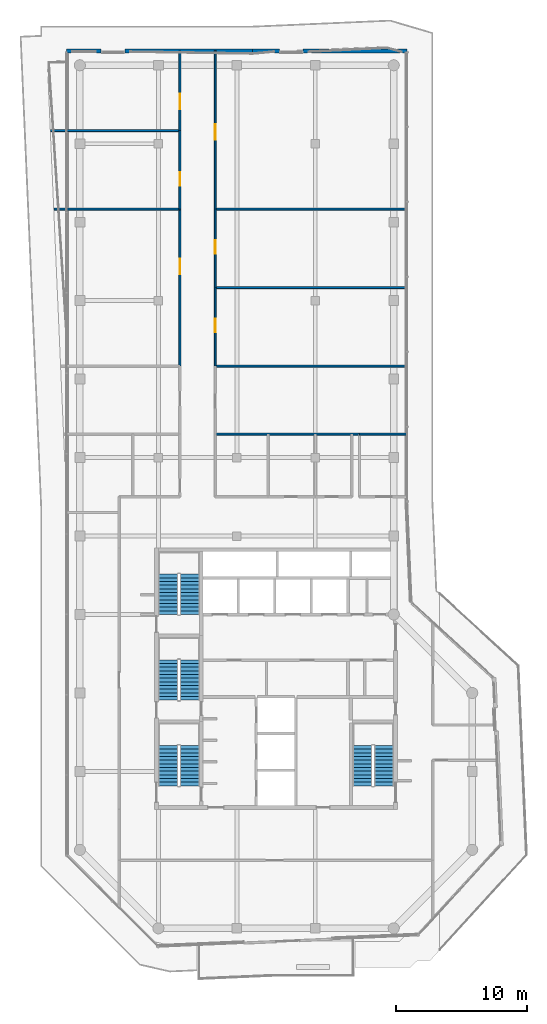
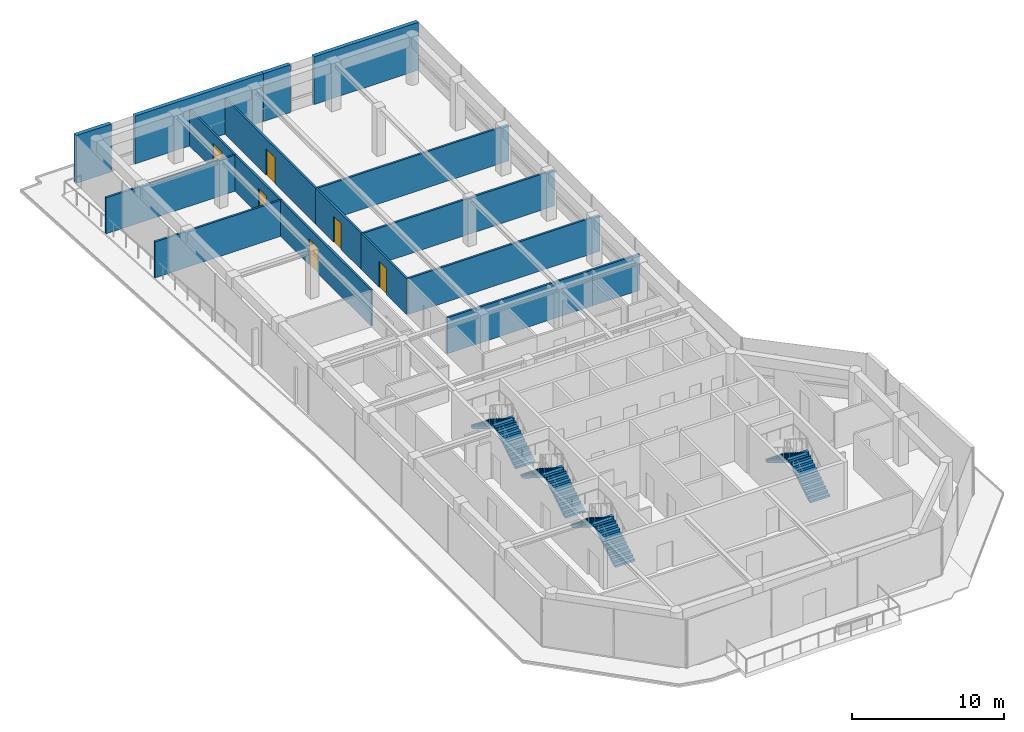
# One storey, part 18 of 20: 17 walls, 8 stair flights, 6 doors, 6 openings, 4 elements without a shape of their own.
"""IFC4 building model written with IfcOpenShell, lengths in metres."""

from ifc_helpers import new_model, si_unit, direction, frame, frame_2d, origin, place, context, subcontext, project, spatial, polyline, rectangle, outline, extrude, material, layer, layer_set, type_object, element, fill, aggregate, save


model = new_model("IFC4")

# Units and contexts
model_context = context("Model", 3, precision=1e-05, world=origin(), true_north=direction((0.0, 1.0)))
body_context = subcontext(model_context, "Body", "Model", "MODEL_VIEW")
ifc_project = project(units=[si_unit("LENGTHUNIT", "METRE"), si_unit("AREAUNIT", "SQUARE_METRE"), si_unit("VOLUMEUNIT", "CUBIC_METRE"), si_unit("PLANEANGLEUNIT", "RADIAN"), si_unit("MASSUNIT", "GRAM", prefix="KILO")], contexts=[model_context])

# Site, building, storey
site_placement = place(None, origin())
site = spatial("IfcSite", under=ifc_project, at=site_placement, CompositionType="ELEMENT")
building_placement = place(site_placement, origin())
building = spatial("IfcBuilding", under=site, at=building_placement, Name="Welwitschia Terrace Campus", CompositionType="ELEMENT")
storey_placement = place(building_placement, frame((0.0, 0.0, 297.800048828125)))
storey = spatial("IfcBuildingStorey", under=building, at=storey_placement, Name="L66", CompositionType="ELEMENT", Elevation=297.800048828125)

# Walls
ifc_material_1 = material(Name="Gypsum board on steel studs", Category="steel")
ifc_layer_1 = layer(ifc_material_1, 0.14990234375)
ifc_layer_set_1 = layer_set([ifc_layer_1], Name="Gypsum board on steel studs")
wall_type_1 = type_object("IfcWallType", Name="Corridor partition 150 EI 30", PredefinedType="PARTITIONING", material=ifc_layer_set_1)
wall_1_placement = place(storey_placement, frame((-2.239990234375, 57.0, 0.0), z_axis=(0.0, 0.0, 1.0), x_axis=(1.0, 0.0, 0.0)))
element("IfcWall", 1, at=wall_1_placement, inside=storey, type_object=wall_type_1, Name="Partition", PredefinedType="PARTITIONING", context=body_context, shape_type="SweptSolid", body=[
    extrude(rectangle(XDim=9.889892578125, YDim=0.14990234375, at=frame_2d((4.94482421875, 0.0))), origin(), (0.0, 0.0, 1.0), 2.89990234375),
])
wall_2_placement = place(storey_placement, frame((-1.97998046875, 51.0, 0.0), z_axis=(0.0, 0.0, 1.0), x_axis=(1.0, 0.0, 0.0)))
element("IfcWall", 2, at=wall_2_placement, inside=storey, type_object=wall_type_1, Name="Partition", PredefinedType="PARTITIONING", context=body_context, shape_type="SweptSolid", body=[
    extrude(rectangle(XDim=9.6298828125, YDim=0.14990234375, at=frame_2d((4.81494140625, 0.0))), origin(), (0.0, 0.0, 1.0), 2.89990234375),
])

# Wall, opening, door
wall_3_placement = place(storey_placement, frame((7.64990234375, 39.0, 0.0), z_axis=(0.0, 0.0, 1.0), x_axis=(0.0, 1.0, 0.0)))
wall_3 = element("IfcWall", 3, at=wall_3_placement, inside=storey, type_object=wall_type_1, Name="Partition", PredefinedType="PARTITIONING", context=body_context, shape_type="SweptSolid", body=[
    extrude(rectangle(XDim=12.0, YDim=0.14990234375, at=frame_2d((6.0, 0.0))), origin(), (0.0, 0.0, 1.0), 2.89990234375),
])
opening_1_placement = place(wall_3_placement, frame((7.0, 0.0, 0.0)))
opening_1 = element("IfcOpeningElement", 4, at=opening_1_placement, cuts=wall_3, Name="Opening DI12", PredefinedType="OPENING", context=body_context, shape_type="SweptSolid", body=[
    extrude(rectangle(XDim=1.199951171875, YDim=2.10009765625, at=frame_2d((0.60009765625, 1.050048828125))), frame((0.0, 0.0849609375, 0.0), z_axis=(0.0, -1.0, 0.0), x_axis=(1.0, 0.0, 0.0)), (0.0, 0.0, 1.0), 0.169921875),
])
ifc_material_2 = material(Name="Timber veneered door", Category="wood")
door_type_1 = type_object("IfcDoorType", Name="Interior door DI12", OperationType="NOTDEFINED", PredefinedType="DOOR", material=ifc_material_2)
door_1_placement = place(opening_1_placement, origin())
door_1 = element("IfcDoor", 5, at=door_1_placement, inside=storey, type_object=door_type_1, Name="Door L66 1171", OperationType="SINGLE_SWING_RIGHT", OverallHeight=2.10009765625, OverallWidth=1.199951171875, PredefinedType="DOOR", context=body_context, shape_type="SweptSolid", body=[
    extrude(rectangle(XDim=1.199951171875, YDim=2.10009765625, at=frame_2d((0.60009765625, 1.050048828125))), frame((0.0, 0.02490234375, 0.0), z_axis=(0.0, -1.0, 0.0), x_axis=(1.0, 0.0, 0.0)), (0.0, 0.0, 1.0), 0.050048828125),
])
fill(opening_1, door_1)

wall_4_placement = place(storey_placement, frame((7.64990234375, 51.0, 0.0), z_axis=(0.0, 0.0, 1.0), x_axis=(0.0, 1.0, 0.0)))
wall_4 = element("IfcWall", 6, at=wall_4_placement, inside=storey, type_object=wall_type_1, Name="Partition", PredefinedType="PARTITIONING", context=body_context, shape_type="SweptSolid", body=[
    extrude(rectangle(XDim=6.0, YDim=0.14990234375, at=frame_2d((3.0, 0.0))), origin(), (0.0, 0.0, 1.0), 2.89990234375),
])
opening_2_placement = place(wall_4_placement, frame((1.800048828125, 0.0, 0.0)))
opening_2 = element("IfcOpeningElement", 7, at=opening_2_placement, cuts=wall_4, Name="Opening DI10", PredefinedType="OPENING", context=body_context, shape_type="SweptSolid", body=[
    extrude(rectangle(XDim=1.0, YDim=2.10009765625, at=frame_2d((0.5, 1.050048828125))), frame((0.0, 0.0849609375, 0.0), z_axis=(0.0, -1.0, 0.0), x_axis=(1.0, 0.0, 0.0)), (0.0, 0.0, 1.0), 0.169921875),
])
ifc_material_3 = material(Name="Timber veneered door", Category="wood")
door_type_2 = type_object("IfcDoorType", Name="Interior door DI10", OperationType="NOTDEFINED", PredefinedType="DOOR", material=ifc_material_3)
door_2_placement = place(opening_2_placement, origin())
door_2 = element("IfcDoor", 8, at=door_2_placement, inside=storey, type_object=door_type_2, Name="Door L66 1172", OperationType="SINGLE_SWING_LEFT", OverallHeight=2.10009765625, OverallWidth=1.0, PredefinedType="DOOR", context=body_context, shape_type="SweptSolid", body=[
    extrude(rectangle(XDim=1.0, YDim=2.10009765625, at=frame_2d((0.5, 1.050048828125))), frame((0.0, 0.02490234375, 0.0), z_axis=(0.0, -1.0, 0.0), x_axis=(1.0, 0.0, 0.0)), (0.0, 0.0, 1.0), 0.050048828125),
])
fill(opening_2, door_2)

wall_5_placement = place(storey_placement, frame((7.64990234375, 57.0, 0.0), z_axis=(0.0, 0.0, 1.0), x_axis=(0.0, 1.0, 0.0)))
wall_5 = element("IfcWall", 9, at=wall_5_placement, inside=storey, type_object=wall_type_1, Name="Partition", PredefinedType="PARTITIONING", context=body_context, shape_type="SweptSolid", body=[
    extrude(rectangle(XDim=6.090087890625, YDim=0.14990234375, at=frame_2d((3.044921875, 0.0))), origin(), (0.0, 0.0, 1.0), 2.89990234375),
])
opening_3_placement = place(wall_5_placement, frame((1.639892578125, 0.0, 0.0)))
opening_3 = element("IfcOpeningElement", 10, at=opening_3_placement, cuts=wall_5, Name="Opening DI12", PredefinedType="OPENING", context=body_context, shape_type="SweptSolid", body=[
    extrude(rectangle(XDim=1.199951171875, YDim=2.10009765625, at=frame_2d((0.60009765625, 1.050048828125))), frame((0.0, 0.0849609375, 0.0), z_axis=(0.0, -1.0, 0.0), x_axis=(1.0, 0.0, 0.0)), (0.0, 0.0, 1.0), 0.169921875),
])
door_3_placement = place(opening_3_placement, origin())
door_3 = element("IfcDoor", 11, at=door_3_placement, inside=storey, type_object=door_type_1, Name="Door L66 1173", OperationType="SINGLE_SWING_RIGHT", OverallHeight=2.10009765625, OverallWidth=1.199951171875, PredefinedType="DOOR", context=body_context, shape_type="SweptSolid", body=[
    extrude(rectangle(XDim=1.199951171875, YDim=2.10009765625, at=frame_2d((0.60009765625, 1.050048828125))), frame((0.0, 0.02490234375, 0.0), z_axis=(0.0, -1.0, 0.0), x_axis=(1.0, 0.0, 0.0)), (0.0, 0.0, 1.0), 0.050048828125),
])
fill(opening_3, door_3)

# Walls
wall_6_placement = place(storey_placement, frame((10.35009765625, 33.800048828125, 0.0), z_axis=(0.0, 0.0, 1.0), x_axis=(1.0, 0.0, 0.0)))
element("IfcWall", 12, at=wall_6_placement, inside=storey, type_object=wall_type_1, Name="Partition", PredefinedType="PARTITIONING", context=body_context, shape_type="SweptSolid", body=[
    extrude(rectangle(XDim=11.02978515625, YDim=0.14990234375, at=frame_2d((5.514892578125, 0.0))), origin(), (0.0, 0.0, 1.0), 2.89990234375),
])
wall_7_placement = place(storey_placement, frame((10.35009765625, 39.0, 0.0), z_axis=(0.0, 0.0, 1.0), x_axis=(1.0, 0.0, 0.0)))
element("IfcWall", 13, at=wall_7_placement, inside=storey, type_object=wall_type_1, Name="Partition", PredefinedType="PARTITIONING", context=body_context, shape_type="SweptSolid", body=[
    extrude(rectangle(XDim=14.6298828125, YDim=0.14990234375, at=frame_2d((7.31494140625, 0.0))), origin(), (0.0, 0.0, 1.0), 2.89990234375),
])

# Wall, opening, door
wall_8_placement = place(storey_placement, frame((10.35009765625, 45.0, 0.0), z_axis=(0.0, 0.0, 1.0), x_axis=(0.0, -1.0, 0.0)))
wall_8 = element("IfcWall", 14, at=wall_8_placement, inside=storey, type_object=wall_type_1, Name="Partition", PredefinedType="PARTITIONING", context=body_context, shape_type="SweptSolid", body=[
    extrude(rectangle(XDim=6.0, YDim=0.14990234375, at=frame_2d((3.0, 0.0))), origin(), (0.0, 0.0, 1.0), 2.89990234375),
])
opening_4_placement = place(wall_8_placement, frame((2.39990234375, 0.0, 0.0)))
opening_4 = element("IfcOpeningElement", 15, at=opening_4_placement, cuts=wall_8, Name="Opening DI10", PredefinedType="OPENING", context=body_context, shape_type="SweptSolid", body=[
    extrude(rectangle(XDim=1.0, YDim=2.10009765625, at=frame_2d((0.5, 1.050048828125))), frame((0.0, 0.0849609375, 0.0), z_axis=(0.0, -1.0, 0.0), x_axis=(1.0, 0.0, 0.0)), (0.0, 0.0, 1.0), 0.169921875),
])
door_4_placement = place(opening_4_placement, origin())
door_4 = element("IfcDoor", 16, at=door_4_placement, inside=storey, type_object=door_type_2, Name="Door L66 1175", OperationType="SINGLE_SWING_RIGHT", OverallHeight=2.10009765625, OverallWidth=1.0, PredefinedType="DOOR", context=body_context, shape_type="SweptSolid", body=[
    extrude(rectangle(XDim=1.0, YDim=2.10009765625, at=frame_2d((0.5, 1.050048828125))), frame((0.0, 0.02490234375, 0.0), z_axis=(0.0, -1.0, 0.0), x_axis=(1.0, 0.0, 0.0)), (0.0, 0.0, 1.0), 0.050048828125),
])
fill(opening_4, door_4)

# Wall
wall_9_placement = place(storey_placement, frame((10.35009765625, 45.0, 0.0), z_axis=(0.0, 0.0, 1.0), x_axis=(1.0, 0.0, 0.0)))
element("IfcWall", 17, at=wall_9_placement, inside=storey, type_object=wall_type_1, Name="Partition", PredefinedType="PARTITIONING", context=body_context, shape_type="SweptSolid", body=[
    extrude(rectangle(XDim=14.6298828125, YDim=0.14990234375, at=frame_2d((7.31494140625, 0.0))), origin(), (0.0, 0.0, 1.0), 2.89990234375),
])

# Wall, opening, door
wall_10_placement = place(storey_placement, frame((10.35009765625, 51.0, 0.0), z_axis=(0.0, 0.0, 1.0), x_axis=(0.0, -1.0, 0.0)))
wall_10 = element("IfcWall", 18, at=wall_10_placement, inside=storey, type_object=wall_type_1, Name="Partition", PredefinedType="PARTITIONING", context=body_context, shape_type="SweptSolid", body=[
    extrude(rectangle(XDim=6.0, YDim=0.14990234375, at=frame_2d((3.0, 0.0))), origin(), (0.0, 0.0, 1.0), 2.89990234375),
])
opening_5_placement = place(wall_10_placement, frame((2.39990234375, 0.0, 0.0)))
opening_5 = element("IfcOpeningElement", 19, at=opening_5_placement, cuts=wall_10, Name="Opening DI10", PredefinedType="OPENING", context=body_context, shape_type="SweptSolid", body=[
    extrude(rectangle(XDim=1.0, YDim=2.10009765625, at=frame_2d((0.5, 1.050048828125))), frame((0.0, 0.0849609375, 0.0), z_axis=(0.0, -1.0, 0.0), x_axis=(1.0, 0.0, 0.0)), (0.0, 0.0, 1.0), 0.169921875),
])
door_5_placement = place(opening_5_placement, origin())
door_5 = element("IfcDoor", 20, at=door_5_placement, inside=storey, type_object=door_type_2, Name="Door L66 1176", OperationType="SINGLE_SWING_LEFT", OverallHeight=2.10009765625, OverallWidth=1.0, PredefinedType="DOOR", context=body_context, shape_type="SweptSolid", body=[
    extrude(rectangle(XDim=1.0, YDim=2.10009765625, at=frame_2d((0.5, 1.050048828125))), frame((0.0, 0.02490234375, 0.0), z_axis=(0.0, -1.0, 0.0), x_axis=(1.0, 0.0, 0.0)), (0.0, 0.0, 1.0), 0.050048828125),
])
fill(opening_5, door_5)

# Wall
wall_11_placement = place(storey_placement, frame((10.35009765625, 51.0, 0.0), z_axis=(0.0, 0.0, 1.0), x_axis=(1.0, 0.0, 0.0)))
element("IfcWall", 21, at=wall_11_placement, inside=storey, type_object=wall_type_1, Name="Partition", PredefinedType="PARTITIONING", context=body_context, shape_type="SweptSolid", body=[
    extrude(rectangle(XDim=14.6298828125, YDim=0.14990234375, at=frame_2d((7.31494140625, 0.0))), origin(), (0.0, 0.0, 1.0), 2.89990234375),
])

# Wall, opening, door
wall_12_placement = place(storey_placement, frame((10.35009765625, 63.090087890625, 0.0), z_axis=(0.0, 0.0, 1.0), x_axis=(0.0, -1.0, 0.0)))
wall_12 = element("IfcWall", 22, at=wall_12_placement, inside=storey, type_object=wall_type_1, Name="Partition", PredefinedType="PARTITIONING", context=body_context, shape_type="SweptSolid", body=[
    extrude(rectangle(XDim=12.090087890625, YDim=0.14990234375, at=frame_2d((6.044921875, 0.0))), origin(), (0.0, 0.0, 1.0), 2.89990234375),
])
opening_6_placement = place(wall_12_placement, frame((5.590087890625, 0.0, 0.0)))
opening_6 = element("IfcOpeningElement", 23, at=opening_6_placement, cuts=wall_12, Name="Opening DI12", PredefinedType="OPENING", context=body_context, shape_type="SweptSolid", body=[
    extrude(rectangle(XDim=1.199951171875, YDim=2.10009765625, at=frame_2d((0.60009765625, 1.050048828125))), frame((0.0, 0.0849609375, 0.0), z_axis=(0.0, -1.0, 0.0), x_axis=(1.0, 0.0, 0.0)), (0.0, 0.0, 1.0), 0.169921875),
])
door_6_placement = place(opening_6_placement, origin())
door_6 = element("IfcDoor", 24, at=door_6_placement, inside=storey, type_object=door_type_1, Name="Door L66 1177", OperationType="SINGLE_SWING_RIGHT", OverallHeight=2.10009765625, OverallWidth=1.199951171875, PredefinedType="DOOR", context=body_context, shape_type="SweptSolid", body=[
    extrude(rectangle(XDim=1.199951171875, YDim=2.10009765625, at=frame_2d((0.60009765625, 1.050048828125))), frame((0.0, 0.02490234375, 0.0), z_axis=(0.0, -1.0, 0.0), x_axis=(1.0, 0.0, 0.0)), (0.0, 0.0, 1.0), 0.050048828125),
])
fill(opening_6, door_6)

# Walls
wall_13_placement = place(storey_placement, frame((21.3798828125, 33.800048828125, 0.0), z_axis=(0.0, 0.0, 1.0), x_axis=(1.0, 0.0, 0.0)))
element("IfcWall", 25, at=wall_13_placement, inside=storey, type_object=wall_type_1, Name="Partition", PredefinedType="PARTITIONING", context=body_context, shape_type="SweptSolid", body=[
    extrude(rectangle(XDim=3.60009765625, YDim=0.14990234375, at=frame_2d((1.800048828125, 0.0))), origin(), (0.0, 0.0, 1.0), 2.89990234375),
])
ifc_material_4 = material(Name="Concrete C40/50", Category="concrete")
ifc_layer_2 = layer(ifc_material_4, 0.300048828125)
ifc_layer_set_2 = layer_set([ifc_layer_2], Name="Concrete C40/50")
wall_type_2 = type_object("IfcWallType", Name="Mass wall 300", PredefinedType="SOLIDWALL", material=ifc_layer_set_2)
wall_14_placement = place(storey_placement, frame((25.030029296875, 63.0810546875, 0.0), z_axis=(0.0, 0.0, 1.0), x_axis=(-0.99999979256, 0.000644112371, 0.0)))
element("IfcWall", 26, at=wall_14_placement, inside=storey, type_object=wall_type_2, Name="Mass wall L66.7.0", PredefinedType="SOLIDWALL", context=body_context, shape_type="SweptSolid", body=[
    extrude(rectangle(XDim=7.959716796875, YDim=0.300048828125, at=frame_2d((3.97998046875, 0.0))), origin(), (0.0, 0.0, 1.0), 3.849853515625),
])
wall_15_placement = place(storey_placement, frame((15.2705078125, 63.078857421875, 0.0), z_axis=(0.0, 0.0, 1.0), x_axis=(-0.999999823309, 0.000594459531, 0.0)))
element("IfcWall", 27, at=wall_15_placement, inside=storey, type_object=wall_type_2, Name="Mass wall L66.7.1", PredefinedType="SOLIDWALL", context=body_context, shape_type="SweptSolid", body=[
    extrude(rectangle(XDim=2.053466796875, YDim=0.300048828125, at=frame_2d((1.02685546875, 0.0))), origin(), (0.0, 0.0, 1.0), 3.849853515625),
])
wall_16_placement = place(storey_placement, frame((13.217041015625, 63.080078125, 0.0), z_axis=(0.0, 0.0, 1.0), x_axis=(-1.0, 0.0, 0.0)))
element("IfcWall", 28, at=wall_16_placement, inside=storey, type_object=wall_type_2, Name="Mass wall L66.8.0", PredefinedType="SOLIDWALL", context=body_context, shape_type="SweptSolid", body=[
    extrude(rectangle(XDim=9.78515625, YDim=0.300048828125, at=frame_2d((4.892578125, 0.0))), origin(), (0.0, 0.0, 1.0), 3.849853515625),
])
wall_17_placement = place(storey_placement, frame((1.6318359375, 63.078125, 0.0), z_axis=(0.0, 0.0, 1.0), x_axis=(-1.0, 0.0, 0.0)))
element("IfcWall", 29, at=wall_17_placement, inside=storey, type_object=wall_type_2, Name="Mass wall L66.8.1", PredefinedType="SOLIDWALL", context=body_context, shape_type="SweptSolid", body=[
    extrude(rectangle(XDim=2.661865234375, YDim=0.300048828125, at=frame_2d((1.3310546875, 0.0))), origin(), (0.0, 0.0, 1.0), 3.849853515625),
])

# Stair, stair flights
ifc_material_5 = material(Name="Concrete C40/50", Category="concrete")
stair_type = type_object("IfcStairType", Name="Stair 24R 175 W1500", PredefinedType="HALF_TURN_STAIR", material=ifc_material_5)
stair_1_placement = place(storey_placement, origin())
stair_1 = element("IfcStair", 30, at=stair_1_placement, inside=storey, type_object=stair_type, Name="L66 Exit stair S1", PredefinedType="HALF_TURN_STAIR")
ifc_material_6 = material(Name="Concrete C40/50", Category="concrete")
stair_flight_type = type_object("IfcStairFlightType", Name="Stair flight 24R 175 W1500", PredefinedType="STRAIGHT", material=ifc_material_6)
stair_flight_1_placement = place(storey_placement, frame((8.39990234375, 6.89990234375, 0.0), z_axis=(0.0, 0.0, 1.0), x_axis=(0.0, 1.0, 0.0)))
stair_flight_1 = element("IfcStairFlight", 31, at=stair_flight_1_placement, type_object=stair_flight_type, Name="S1 flight 1", NumberOfRisers=12, NumberOfTreads=11, PredefinedType="STRAIGHT", RiserHeight=0.175, TreadLength=0.28, context=body_context, shape_type="SweptSolid", body=[
    extrude(outline(polyline([(0.0, 0.0), (0.0, 0.175048828125), (0.280029296875, 0.175048828125), (0.280029296875, 0.35009765625), (0.56005859375, 0.35009765625), (0.56005859375, 0.52490234375), (0.840087890625, 0.52490234375), (0.840087890625, 0.699951171875), (1.1201171875, 0.699951171875), (1.1201171875, 0.875), (1.39990234375, 0.875), (1.39990234375, 1.050048828125), (1.679931640625, 1.050048828125), (1.679931640625, 1.22509765625), (1.9599609375, 1.22509765625), (1.9599609375, 1.39990234375), (2.239990234375, 1.39990234375), (2.239990234375, 1.574951171875), (2.52001953125, 1.574951171875), (2.52001953125, 1.75), (2.800048828125, 1.75), (2.800048828125, 1.925048828125), (3.080078125, 1.925048828125), (3.080078125, 2.10009765625), (3.080078125, 1.748291015625), (0.28271484375, 0.0), (0.0, 0.0)])), frame((0.0, 0.75, 0.0), z_axis=(0.0, -1.0, 0.0), x_axis=(1.0, 0.0, 0.0)), (0.0, 0.0, 1.0), 1.5),
])
stair_flight_2_placement = place(storey_placement, frame((6.75, 9.97998046875, 2.099853515625), z_axis=(0.0, 0.0, 1.0), x_axis=(0.0, -1.0, 0.0)))
stair_flight_2 = element("IfcStairFlight", 32, at=stair_flight_2_placement, type_object=stair_flight_type, Name="S1 flight 2", NumberOfRisers=12, NumberOfTreads=11, PredefinedType="STRAIGHT", RiserHeight=0.175, TreadLength=0.28, context=body_context, shape_type="SweptSolid", body=[
    extrude(outline(polyline([(0.0, 0.0), (0.0, 0.175048828125), (0.280029296875, 0.175048828125), (0.280029296875, 0.35009765625), (0.56005859375, 0.35009765625), (0.56005859375, 0.52490234375), (0.840087890625, 0.52490234375), (0.840087890625, 0.699951171875), (1.1201171875, 0.699951171875), (1.1201171875, 0.875), (1.39990234375, 0.875), (1.39990234375, 1.050048828125), (1.679931640625, 1.050048828125), (1.679931640625, 1.22509765625), (1.9599609375, 1.22509765625), (1.9599609375, 1.39990234375), (2.239990234375, 1.39990234375), (2.239990234375, 1.574951171875), (2.52001953125, 1.574951171875), (2.52001953125, 1.75), (2.800048828125, 1.75), (2.800048828125, 1.925048828125), (3.080078125, 1.925048828125), (3.080078125, 2.10009765625), (3.080078125, 1.748291015625), (0.28271484375, 0.0), (0.0, 0.0)])), frame((0.0, 0.75, 0.0), z_axis=(0.0, -1.0, 0.0), x_axis=(1.0, 0.0, 0.0)), (0.0, 0.0, 1.0), 1.5),
])
aggregate(stair_1, [stair_flight_1, stair_flight_2])

stair_2_placement = place(storey_placement, origin())
stair_2 = element("IfcStair", 33, at=stair_2_placement, inside=storey, type_object=stair_type, Name="L66 Exit stair S3", PredefinedType="HALF_TURN_STAIR")
stair_flight_3_placement = place(storey_placement, frame((8.39990234375, 13.449951171875, 0.0), z_axis=(0.0, 0.0, 1.0), x_axis=(0.0, 1.0, 0.0)))
stair_flight_3 = element("IfcStairFlight", 34, at=stair_flight_3_placement, type_object=stair_flight_type, Name="S3 flight 1", NumberOfRisers=12, NumberOfTreads=11, PredefinedType="STRAIGHT", RiserHeight=0.175, TreadLength=0.28, context=body_context, shape_type="SweptSolid", body=[
    extrude(outline(polyline([(0.0, 0.0), (0.0, 0.175048828125), (0.280029296875, 0.175048828125), (0.280029296875, 0.35009765625), (0.56005859375, 0.35009765625), (0.56005859375, 0.52490234375), (0.840087890625, 0.52490234375), (0.840087890625, 0.699951171875), (1.1201171875, 0.699951171875), (1.1201171875, 0.875), (1.39990234375, 0.875), (1.39990234375, 1.050048828125), (1.679931640625, 1.050048828125), (1.679931640625, 1.22509765625), (1.9599609375, 1.22509765625), (1.9599609375, 1.39990234375), (2.239990234375, 1.39990234375), (2.239990234375, 1.574951171875), (2.52001953125, 1.574951171875), (2.52001953125, 1.75), (2.800048828125, 1.75), (2.800048828125, 1.925048828125), (3.080078125, 1.925048828125), (3.080078125, 2.10009765625), (3.080078125, 1.748291015625), (0.28271484375, 0.0), (0.0, 0.0)])), frame((0.0, 0.75, 0.0), z_axis=(0.0, -1.0, 0.0), x_axis=(1.0, 0.0, 0.0)), (0.0, 0.0, 1.0), 1.5),
])
stair_flight_4_placement = place(storey_placement, frame((6.75, 16.530029296875, 2.099853515625), z_axis=(0.0, 0.0, 1.0), x_axis=(0.0, -1.0, 0.0)))
stair_flight_4 = element("IfcStairFlight", 35, at=stair_flight_4_placement, type_object=stair_flight_type, Name="S3 flight 2", NumberOfRisers=12, NumberOfTreads=11, PredefinedType="STRAIGHT", RiserHeight=0.175, TreadLength=0.28, context=body_context, shape_type="SweptSolid", body=[
    extrude(outline(polyline([(0.0, 0.0), (0.0, 0.175048828125), (0.280029296875, 0.175048828125), (0.280029296875, 0.35009765625), (0.56005859375, 0.35009765625), (0.56005859375, 0.52490234375), (0.840087890625, 0.52490234375), (0.840087890625, 0.699951171875), (1.1201171875, 0.699951171875), (1.1201171875, 0.875), (1.39990234375, 0.875), (1.39990234375, 1.050048828125), (1.679931640625, 1.050048828125), (1.679931640625, 1.22509765625), (1.9599609375, 1.22509765625), (1.9599609375, 1.39990234375), (2.239990234375, 1.39990234375), (2.239990234375, 1.574951171875), (2.52001953125, 1.574951171875), (2.52001953125, 1.75), (2.800048828125, 1.75), (2.800048828125, 1.925048828125), (3.080078125, 1.925048828125), (3.080078125, 2.10009765625), (3.080078125, 1.748291015625), (0.28271484375, 0.0), (0.0, 0.0)])), frame((0.0, 0.75, 0.0), z_axis=(0.0, -1.0, 0.0), x_axis=(1.0, 0.0, 0.0)), (0.0, 0.0, 1.0), 1.5),
])
aggregate(stair_2, [stair_flight_3, stair_flight_4])

stair_3_placement = place(storey_placement, origin())
stair_3 = element("IfcStair", 36, at=stair_3_placement, inside=storey, type_object=stair_type, Name="L66 Exit stair S4", PredefinedType="HALF_TURN_STAIR")
stair_flight_5_placement = place(storey_placement, frame((8.39990234375, 20.0, 0.0), z_axis=(0.0, 0.0, 1.0), x_axis=(0.0, 1.0, 0.0)))
stair_flight_5 = element("IfcStairFlight", 37, at=stair_flight_5_placement, type_object=stair_flight_type, Name="S4 flight 1", NumberOfRisers=12, NumberOfTreads=11, PredefinedType="STRAIGHT", RiserHeight=0.175, TreadLength=0.28, context=body_context, shape_type="SweptSolid", body=[
    extrude(outline(polyline([(0.0, 0.0), (0.0, 0.175048828125), (0.280029296875, 0.175048828125), (0.280029296875, 0.35009765625), (0.56005859375, 0.35009765625), (0.56005859375, 0.52490234375), (0.840087890625, 0.52490234375), (0.840087890625, 0.699951171875), (1.1201171875, 0.699951171875), (1.1201171875, 0.875), (1.39990234375, 0.875), (1.39990234375, 1.050048828125), (1.679931640625, 1.050048828125), (1.679931640625, 1.22509765625), (1.9599609375, 1.22509765625), (1.9599609375, 1.39990234375), (2.239990234375, 1.39990234375), (2.239990234375, 1.574951171875), (2.52001953125, 1.574951171875), (2.52001953125, 1.75), (2.800048828125, 1.75), (2.800048828125, 1.925048828125), (3.080078125, 1.925048828125), (3.080078125, 2.10009765625), (3.080078125, 1.748291015625), (0.28271484375, 0.0), (0.0, 0.0)])), frame((0.0, 0.75, 0.0), z_axis=(0.0, -1.0, 0.0), x_axis=(1.0, 0.0, 0.0)), (0.0, 0.0, 1.0), 1.5),
])
stair_flight_6_placement = place(storey_placement, frame((6.75, 23.080078125, 2.099853515625), z_axis=(0.0, 0.0, 1.0), x_axis=(0.0, -1.0, 0.0)))
stair_flight_6 = element("IfcStairFlight", 38, at=stair_flight_6_placement, type_object=stair_flight_type, Name="S4 flight 2", NumberOfRisers=12, NumberOfTreads=11, PredefinedType="STRAIGHT", RiserHeight=0.175, TreadLength=0.28, context=body_context, shape_type="SweptSolid", body=[
    extrude(outline(polyline([(0.0, 0.0), (0.0, 0.175048828125), (0.280029296875, 0.175048828125), (0.280029296875, 0.35009765625), (0.56005859375, 0.35009765625), (0.56005859375, 0.52490234375), (0.840087890625, 0.52490234375), (0.840087890625, 0.699951171875), (1.1201171875, 0.699951171875), (1.1201171875, 0.875), (1.39990234375, 0.875), (1.39990234375, 1.050048828125), (1.679931640625, 1.050048828125), (1.679931640625, 1.22509765625), (1.9599609375, 1.22509765625), (1.9599609375, 1.39990234375), (2.239990234375, 1.39990234375), (2.239990234375, 1.574951171875), (2.52001953125, 1.574951171875), (2.52001953125, 1.75), (2.800048828125, 1.75), (2.800048828125, 1.925048828125), (3.080078125, 1.925048828125), (3.080078125, 2.10009765625), (3.080078125, 1.748291015625), (0.28271484375, 0.0), (0.0, 0.0)])), frame((0.0, 0.75, 0.0), z_axis=(0.0, -1.0, 0.0), x_axis=(1.0, 0.0, 0.0)), (0.0, 0.0, 1.0), 1.5),
])
aggregate(stair_3, [stair_flight_5, stair_flight_6])

stair_4_placement = place(storey_placement, origin())
stair_4 = element("IfcStair", 39, at=stair_4_placement, inside=storey, type_object=stair_type, Name="L66 Exit stair S2", PredefinedType="HALF_TURN_STAIR")
stair_flight_7_placement = place(storey_placement, frame((23.25, 6.89990234375, 0.0), z_axis=(0.0, 0.0, 1.0), x_axis=(0.0, 1.0, 0.0)))
stair_flight_7 = element("IfcStairFlight", 40, at=stair_flight_7_placement, type_object=stair_flight_type, Name="S2 flight 1", NumberOfRisers=12, NumberOfTreads=11, PredefinedType="STRAIGHT", RiserHeight=0.175, TreadLength=0.28, context=body_context, shape_type="SweptSolid", body=[
    extrude(outline(polyline([(0.0, 0.0), (0.0, 0.175048828125), (0.280029296875, 0.175048828125), (0.280029296875, 0.35009765625), (0.56005859375, 0.35009765625), (0.56005859375, 0.52490234375), (0.840087890625, 0.52490234375), (0.840087890625, 0.699951171875), (1.1201171875, 0.699951171875), (1.1201171875, 0.875), (1.39990234375, 0.875), (1.39990234375, 1.050048828125), (1.679931640625, 1.050048828125), (1.679931640625, 1.22509765625), (1.9599609375, 1.22509765625), (1.9599609375, 1.39990234375), (2.239990234375, 1.39990234375), (2.239990234375, 1.574951171875), (2.52001953125, 1.574951171875), (2.52001953125, 1.75), (2.800048828125, 1.75), (2.800048828125, 1.925048828125), (3.080078125, 1.925048828125), (3.080078125, 2.10009765625), (3.080078125, 1.748291015625), (0.28271484375, 0.0), (0.0, 0.0)])), frame((0.0, 0.75, 0.0), z_axis=(0.0, -1.0, 0.0), x_axis=(1.0, 0.0, 0.0)), (0.0, 0.0, 1.0), 1.5),
])
stair_flight_8_placement = place(storey_placement, frame((21.60009765625, 9.97998046875, 2.099853515625), z_axis=(0.0, 0.0, 1.0), x_axis=(0.0, -1.0, 0.0)))
stair_flight_8 = element("IfcStairFlight", 41, at=stair_flight_8_placement, type_object=stair_flight_type, Name="S2 flight 2", NumberOfRisers=12, NumberOfTreads=11, PredefinedType="STRAIGHT", RiserHeight=0.175, TreadLength=0.28, context=body_context, shape_type="SweptSolid", body=[
    extrude(outline(polyline([(0.0, 0.0), (0.0, 0.175048828125), (0.280029296875, 0.175048828125), (0.280029296875, 0.35009765625), (0.56005859375, 0.35009765625), (0.56005859375, 0.52490234375), (0.840087890625, 0.52490234375), (0.840087890625, 0.699951171875), (1.1201171875, 0.699951171875), (1.1201171875, 0.875), (1.39990234375, 0.875), (1.39990234375, 1.050048828125), (1.679931640625, 1.050048828125), (1.679931640625, 1.22509765625), (1.9599609375, 1.22509765625), (1.9599609375, 1.39990234375), (2.239990234375, 1.39990234375), (2.239990234375, 1.574951171875), (2.52001953125, 1.574951171875), (2.52001953125, 1.75), (2.800048828125, 1.75), (2.800048828125, 1.925048828125), (3.080078125, 1.925048828125), (3.080078125, 2.10009765625), (3.080078125, 1.748291015625), (0.28271484375, 0.0), (0.0, 0.0)])), frame((0.0, 0.75, 0.0), z_axis=(0.0, -1.0, 0.0), x_axis=(1.0, 0.0, 0.0)), (0.0, 0.0, 1.0), 1.5),
])
aggregate(stair_4, [stair_flight_7, stair_flight_8])

save(model, "model.ifc")
